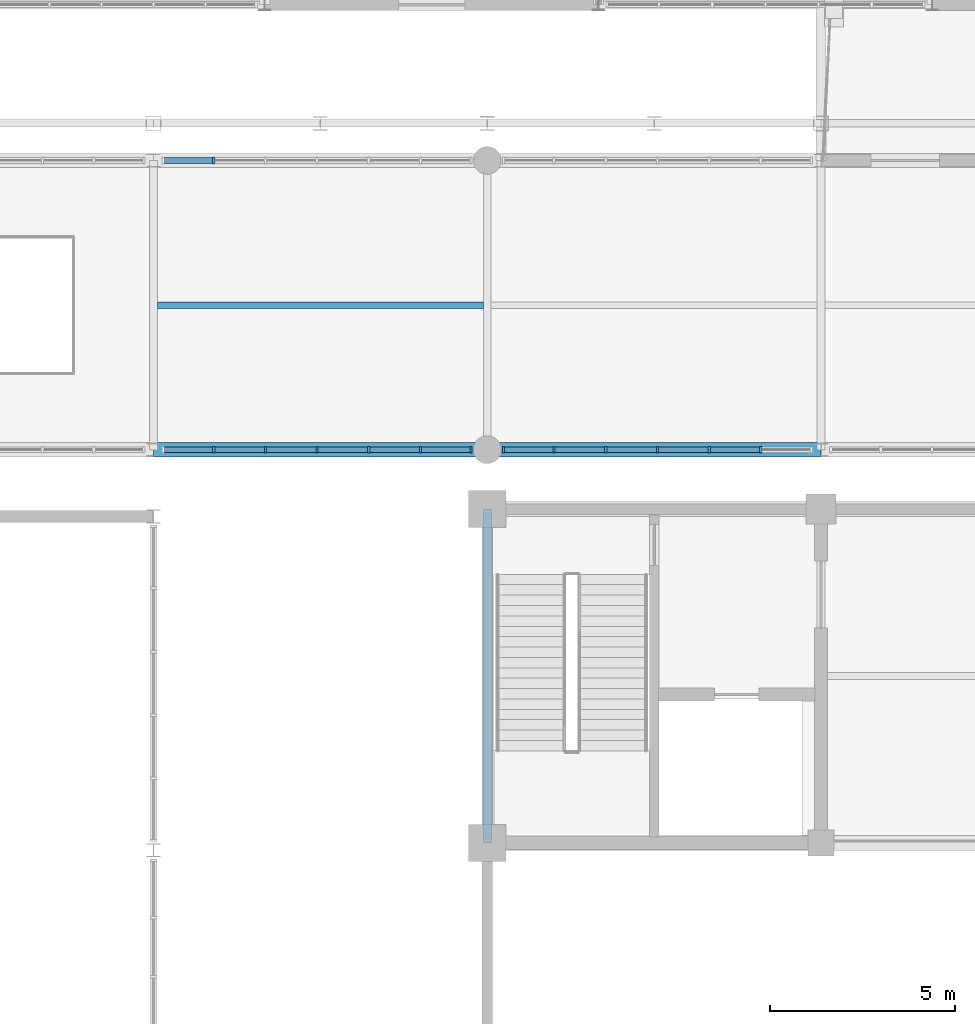
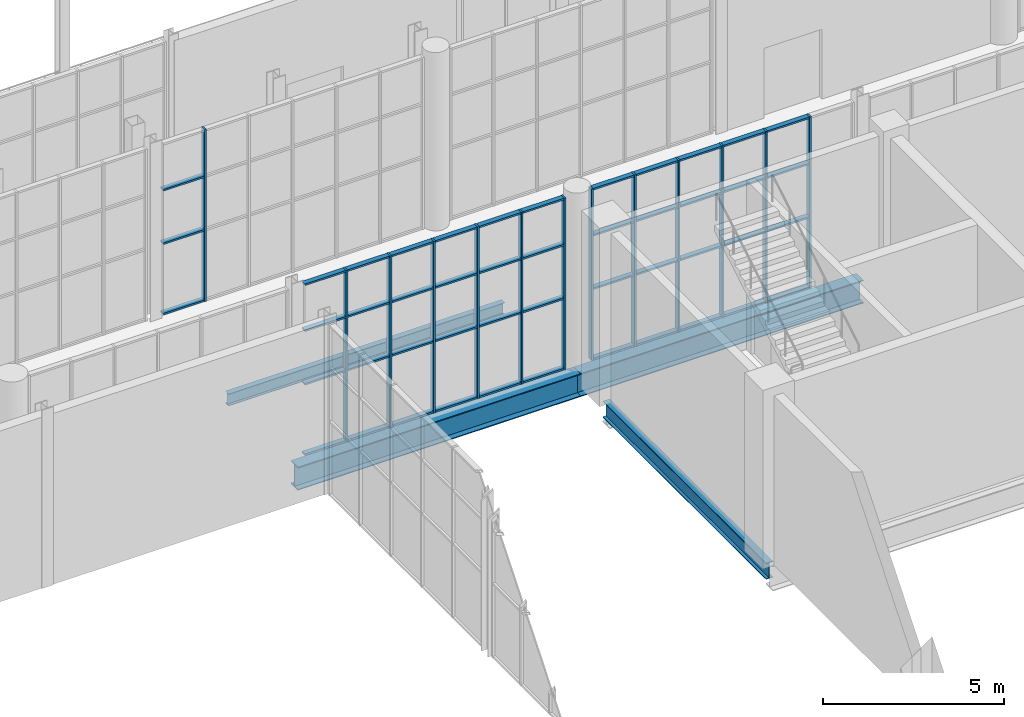
# One storey, part 38 of 159: 60 members, 4 beams, 3 elements without a shape of their own.
"""IFC4 building model written with IfcOpenShell, lengths in metres."""

import ifcopenshell
import ifcopenshell.guid

model = None  # the IFC model being written
_history = None  # IfcOwnerHistory: only IFC2X3 demands one
_inside = {}  # id of a spatial element -> (the spatial element, [elements in it])
_under = {}  # id of a project, library or spatial element -> (it, [spatial elements below it])
_declared = {}  # id of a project -> (the project, [libraries it declares])
_typed = {}  # id of a type object -> (the type object, [elements of that type])
_made_of = {}  # id of a material, layer set ... -> (it, [elements and type objects made of it])


def new_model(schema):
    """Start an empty IFC model of exactly this schema.

    Asked for "IFC4X3", IfcOpenShell would pick the latest addendum, in which some entities
    have other attributes; the version numbers below select the first issue.
    IFC2X3 requires an IfcOwnerHistory on every rooted entity: one is made here for all.
    """
    global model, _history
    if schema == "IFC4X3":
        model = ifcopenshell.file(schema_version=(4, 3, 0, 0))
    else:
        model = ifcopenshell.file(schema=schema)
    _inside.clear()
    _under.clear()
    _declared.clear()
    _typed.clear()
    _made_of.clear()
    _history = None
    if model.schema == "IFC2X3":
        org = make("IfcOrganization", Name="unknown")
        user = make(
            "IfcPersonAndOrganization",
            ThePerson=make("IfcPerson", FamilyName="unknown"),
            TheOrganization=org,
        )
        app = make(
            "IfcApplication",
            ApplicationDeveloper=org,
            Version="unknown",
            ApplicationFullName="unknown",
            ApplicationIdentifier="unknown",
        )
        _history = make(
            "IfcOwnerHistory",
            OwningUser=user,
            OwningApplication=app,
            ChangeAction="ADDED",
            CreationDate=0,
        )
    return model


def make(cls, **values):
    """One entity of the class cls with the attributes given. An attribute that is None is left unset."""
    return model.create_entity(
        cls, **{name: value for name, value in values.items() if value is not None}
    )


def rooted(cls, **values):
    """An entity with a GlobalId (a new one), such as an element, a storey or a relation."""
    return make(cls, GlobalId=ifcopenshell.guid.new(), OwnerHistory=_history, **values)


def si_unit(unit_type, name, prefix=None):
    """IfcSIUnit, for example si_unit("LENGTHUNIT", "METRE", prefix="MILLI")."""
    return make("IfcSIUnit", UnitType=unit_type, Prefix=prefix, Name=name)


def assignment(units):
    """IfcUnitAssignment: the units of a project."""
    return None if units is None else make("IfcUnitAssignment", Units=units)


def point(xyz):
    """IfcCartesianPoint."""
    return None if xyz is None else make("IfcCartesianPoint", Coordinates=xyz)


def direction(xyz):
    """IfcDirection."""
    return None if xyz is None else make("IfcDirection", DirectionRatios=xyz)


def frame(location, z_axis=None, x_axis=None):
    """IfcAxis2Placement3D, a coordinate frame: its origin and axes. An axis left out is left unset."""
    return make(
        "IfcAxis2Placement3D",
        Location=point(location),
        Axis=direction(z_axis),
        RefDirection=direction(x_axis),
    )


def frame_2d(location, x_axis=None):
    """IfcAxis2Placement2D, a coordinate frame in the plane: its origin and x axis."""
    return make(
        "IfcAxis2Placement2D", Location=point(location), RefDirection=direction(x_axis)
    )


def origin():
    """The frame at (0, 0, 0) with its axes left unset."""
    return frame((0.0, 0.0, 0.0))


def origin_2d():
    """The frame at (0, 0) in the plane with its x axis left unset."""
    return frame_2d((0.0, 0.0))


def place(relative_to, where):
    """IfcLocalPlacement: puts the frame where relative to a parent placement (None: the world)."""
    return make(
        "IfcLocalPlacement", PlacementRelTo=relative_to, RelativePlacement=where
    )


def context(
    kind, dimensions, precision=None, world=None, true_north=None, identifier=None
):
    """IfcGeometricRepresentationContext, for example the 3D "Model" context."""
    return make(
        "IfcGeometricRepresentationContext",
        ContextIdentifier=identifier,
        ContextType=kind,
        CoordinateSpaceDimension=dimensions,
        Precision=precision,
        WorldCoordinateSystem=world,
        TrueNorth=true_north,
    )


def subcontext(parent, identifier, kind, view, scale=None):
    """IfcGeometricRepresentationSubContext, for example "Body" below "Model"."""
    return make(
        "IfcGeometricRepresentationSubContext",
        ContextIdentifier=identifier,
        ContextType=kind,
        ParentContext=parent,
        TargetScale=scale,
        TargetView=view,
    )


def project(units=None, contexts=None):
    """IfcProject with its units and contexts."""
    return rooted(
        "IfcProject",
        Name="project",
        RepresentationContexts=contexts,
        UnitsInContext=assignment(units),
    )


def spatial(cls, under=None, at=None, **own):
    """A site, building, storey or space (cls), placed at a placement, below another one or the project."""
    s = rooted(cls, ObjectPlacement=at, **own)
    if under is not None:
        _under.setdefault(under.id(), (under, []))[1].append(s)
    return s


def profile(cls, at=None, kind="AREA", **sizes):
    """A parametric profile (cls). Its sizes go by their IFC names, for example OverallWidth=200.0."""
    return make(cls, ProfileType=kind, Position=at, **sizes)


def rectangle(**sizes):
    """IfcRectangleProfileDef."""
    return profile("IfcRectangleProfileDef", **sizes)


def i_section(**sizes):
    """IfcIShapeProfileDef."""
    return profile("IfcIShapeProfileDef", **sizes)


def extrude(swept, where, along, depth):
    """IfcExtrudedAreaSolid: the profile swept, set in the frame where, extruded along a direction by depth."""
    return make(
        "IfcExtrudedAreaSolid",
        SweptArea=swept,
        Position=where,
        ExtrudedDirection=direction(along),
        Depth=depth,
    )


def shape(context_of_items, identifier, shape_type, items):
    """IfcShapeRepresentation: the items that make up one representation, for example the "Body"."""
    return make(
        "IfcShapeRepresentation",
        ContextOfItems=context_of_items,
        RepresentationIdentifier=identifier,
        RepresentationType=shape_type,
        Items=items,
    )


def material(Name=None, Category=None):
    """IfcMaterial."""
    return make("IfcMaterial", Name=Name, Category=Category)


def layer(
    of_material, thickness, ventilated=None, Name=None, Category=None, Priority=None
):
    """IfcMaterialLayer: one layer of a wall or slab, of a material (None: an air gap)."""
    return make(
        "IfcMaterialLayer",
        Material=of_material,
        LayerThickness=thickness,
        IsVentilated=ventilated,
        Name=Name,
        Category=Category,
        Priority=Priority,
    )


def layer_set(layers, Name=None):
    """IfcMaterialLayerSet."""
    return make("IfcMaterialLayerSet", MaterialLayers=layers, LayerSetName=Name)


def material_profile(
    of_material, cross_section, Name=None, Category=None, Priority=None
):
    """IfcMaterialProfile: a cross section and its material."""
    return make(
        "IfcMaterialProfile",
        Name=Name,
        Material=of_material,
        Profile=cross_section,
        Priority=Priority,
        Category=Category,
    )


def profile_set(profiles, Name=None, composite=None):
    """IfcMaterialProfileSet."""
    return make(
        "IfcMaterialProfileSet",
        Name=Name,
        MaterialProfiles=profiles,
        CompositeProfile=composite,
    )


def made_of(thing, what):
    """Note that an element or type object is made of a material, layer set ...; save() writes the relation."""
    if what is not None:
        _made_of.setdefault(what.id(), (what, []))[1].append(thing)
    return thing


def type_object(cls, material=None, **own):
    """A type object (cls), such as IfcWallType, which elements share."""
    return made_of(rooted(cls, **own), material)


def element(
    cls,
    number,
    at=None,
    inside=None,
    cuts=None,
    type_object=None,
    material=None,
    context=None,
    identifier="Body",
    shape_type=None,
    held_by="IfcProductDefinitionShape",
    body=None,
    shapes=None,
    **own,
):
    """One element of the class cls, such as IfcWall. Its Tag is "e" and its number.

    at: its placement. inside: the storey or other place that contains it. cuts: it is an
    opening in that element (IfcRelVoidsElement). A single representation is given by context,
    identifier, shape_type and body (its items); several are given by shapes. held_by: the class
    of the entity that holds the representations. save() writes the other relations.
    """
    e = rooted(cls, Tag="e%d" % number, ObjectPlacement=at, **own)
    if body is not None:
        shapes = [shape(context, identifier, shape_type, body)]
    if shapes is not None:
        e.Representation = make(held_by, Representations=shapes)
    if inside is not None:
        _inside.setdefault(inside.id(), (inside, []))[1].append(e)
    if cuts is not None:
        rooted(
            "IfcRelVoidsElement", RelatingBuildingElement=cuts, RelatedOpeningElement=e
        )
    if type_object is not None:
        _typed.setdefault(type_object.id(), (type_object, []))[1].append(e)
    return made_of(e, material)


def aggregate(whole, parts):
    """IfcRelAggregates: a whole, such as a stair, and the parts it consists of."""
    return rooted("IfcRelAggregates", RelatingObject=whole, RelatedObjects=parts)


def save(model, path):
    """Write the relations noted so far, then the file.

    IfcRelAggregates (storeys below a building ...), IfcRelContainedInSpatialStructure (elements
    in a storey), IfcRelDefinesByType, IfcRelAssociatesMaterial and IfcRelDeclares: one each for
    every whole, place, type object, material and project.
    """
    for whole, parts in _under.values():
        aggregate(whole, parts)
    for where, things in _inside.values():
        rooted(
            "IfcRelContainedInSpatialStructure",
            RelatedElements=things,
            RelatingStructure=where,
        )
    for kind, things in _typed.values():
        rooted("IfcRelDefinesByType", RelatedObjects=things, RelatingType=kind)
    for what, things in _made_of.values():
        rooted("IfcRelAssociatesMaterial", RelatedObjects=things, RelatingMaterial=what)
    for by, libraries in _declared.values():
        rooted("IfcRelDeclares", RelatingContext=by, RelatedDefinitions=libraries)
    model.write(path)


model = new_model("IFC4")

# Units and contexts
model_context = context("Model", 3, precision=1e-05, world=origin(), true_north=direction((0.0, 1.0)))
body_context = subcontext(model_context, "Body", "Model", "MODEL_VIEW")
ifc_project = project(units=[si_unit("LENGTHUNIT", "METRE"), si_unit("AREAUNIT", "SQUARE_METRE"), si_unit("VOLUMEUNIT", "CUBIC_METRE"), si_unit("PLANEANGLEUNIT", "RADIAN"), si_unit("MASSUNIT", "GRAM", prefix="KILO")], contexts=[model_context])

# Site, building, storey
site_placement = place(None, origin())
site = spatial("IfcSite", under=ifc_project, at=site_placement, CompositionType="ELEMENT")
building_placement = place(site_placement, origin())
building = spatial("IfcBuilding", under=site, at=building_placement, Name="Cazmaro Siding Exhibition Halls", CompositionType="ELEMENT")
storey_placement = place(building_placement, frame((0.0, 0.0, 6.0)))
storey = spatial("IfcBuildingStorey", under=building, at=storey_placement, Name="L01", CompositionType="ELEMENT", Elevation=6.0)

# Beam
ifc_material_1 = material(Name="Steel ASTM A992 Grade 50", Category="steel")
ifc_material_profile_1 = material_profile(ifc_material_1, i_section(OverallWidth=0.214111328125, OverallDepth=0.549072265625, WebThickness=0.014892578125, FlangeThickness=0.02392578125, at=origin_2d()), Name="W21X93")
ifc_profile_set_1 = profile_set([ifc_material_profile_1], Name="Steel ASTM A992 Grade 50")
beam_type_1 = type_object("IfcBeamType", Name="B-01", PredefinedType="BEAM", material=ifc_profile_set_1)
beam_1_placement = place(storey_placement, frame((72.0, 44.60009765625, -0.52392578125), z_axis=(0.0, 1.0, 0.0), x_axis=(-1.0, 0.0, 0.0)))
element("IfcBeam", 1, at=beam_1_placement, inside=storey, type_object=beam_type_1, Name="Beam B-01 BM-1277", PredefinedType="BEAM", context=body_context, shape_type="SweptSolid", body=[
    extrude(i_section(OverallWidth=0.214111328125, OverallDepth=0.549072265625, WebThickness=0.014892578125, FlangeThickness=0.02392578125, at=origin_2d()), origin(), (0.0, 0.0, 1.0), 9.0),
])

# Curtain wall, members
ifc_material_2 = material(Name="Anodized Bronze Aluminum and Solar-Control Low-E Glazing", Category="aluminium")
ifc_layer = layer(ifc_material_2, 0.179931640625)
ifc_layer_set = layer_set([ifc_layer], Name="Anodized Bronze Aluminum and Solar-Control Low-E Glazing")
curtain_wall_type = type_object("IfcCurtainWallType", Name="CWS-01", PredefinedType="USERDEFINED", material=ifc_layer_set)
curtain_wall_1_placement = place(storey_placement, origin())
curtain_wall_1 = element("IfcCurtainWall", 2, at=curtain_wall_1_placement, inside=storey, type_object=curtain_wall_type, Name="Glazed Curtain Wall CWS-01 CW-157", ObjectType="GLAZED CURTAIN WALL", PredefinedType="USERDEFINED")
ifc_material_3 = material(Name="Anodized Bronze Extruded Aluminum", Category="aluminium")
ifc_material_profile_2 = material_profile(ifc_material_3, rectangle(XDim=0.179931640625, YDim=0.06005859375, at=origin_2d()), Name="CWM-01")
ifc_profile_set_2 = profile_set([ifc_material_profile_2], Name="Anodized Bronze Extruded Aluminum")
member_type_1 = type_object("IfcMemberType", Name="CWM-01", PredefinedType="MULLION", material=ifc_profile_set_2)
member_1_placement = place(storey_placement, frame((64.623779296875, 55.199951171875, 0.0), z_axis=(0.0, 0.0, 1.0), x_axis=(0.0, 1.0, 0.0)))
member_1 = element("IfcMember", 3, at=member_1_placement, type_object=member_type_1, Name="CWS-01 mullion 2", PredefinedType="MULLION", context=body_context, shape_type="SweptSolid", body=[
    extrude(rectangle(XDim=0.179931640625, YDim=0.06005859375, at=origin_2d()), origin(), (0.0, 0.0, 1.0), 5.780029296875),
])
member_2_placement = place(storey_placement, frame((66.017333984375, 55.199951171875, 0.0), z_axis=(0.0, 0.0, 1.0), x_axis=(0.0, 1.0, 0.0)))
member_2 = element("IfcMember", 4, at=member_2_placement, type_object=member_type_1, Name="CWS-01 mullion 3", PredefinedType="MULLION", context=body_context, shape_type="SweptSolid", body=[
    extrude(rectangle(XDim=0.179931640625, YDim=0.06005859375, at=origin_2d()), origin(), (0.0, 0.0, 1.0), 5.780029296875),
])
member_3_placement = place(storey_placement, frame((67.410888671875, 55.199951171875, 0.0), z_axis=(0.0, 0.0, 1.0), x_axis=(0.0, 1.0, 0.0)))
member_3 = element("IfcMember", 5, at=member_3_placement, type_object=member_type_1, Name="CWS-01 mullion 4", PredefinedType="MULLION", context=body_context, shape_type="SweptSolid", body=[
    extrude(rectangle(XDim=0.179931640625, YDim=0.06005859375, at=origin_2d()), origin(), (0.0, 0.0, 1.0), 5.780029296875),
])
member_4_placement = place(storey_placement, frame((68.8046875, 55.199951171875, 0.0), z_axis=(0.0, 0.0, 1.0), x_axis=(0.0, 1.0, 0.0)))
member_4 = element("IfcMember", 6, at=member_4_placement, type_object=member_type_1, Name="CWS-01 mullion 5", PredefinedType="MULLION", context=body_context, shape_type="SweptSolid", body=[
    extrude(rectangle(XDim=0.179931640625, YDim=0.06005859375, at=origin_2d()), origin(), (0.0, 0.0, 1.0), 5.780029296875),
])
member_5_placement = place(storey_placement, frame((70.1982421875, 55.199951171875, 0.0), z_axis=(0.0, 0.0, 1.0), x_axis=(0.0, 1.0, 0.0)))
member_5 = element("IfcMember", 7, at=member_5_placement, type_object=member_type_1, Name="CWS-01 mullion 6", PredefinedType="MULLION", context=body_context, shape_type="SweptSolid", body=[
    extrude(rectangle(XDim=0.179931640625, YDim=0.06005859375, at=origin_2d()), origin(), (0.0, 0.0, 1.0), 5.780029296875),
])
member_6_placement = place(storey_placement, frame((71.56201171875, 55.199951171875, 0.0), z_axis=(0.0, 0.0, 1.0), x_axis=(0.0, 1.0, 0.0)))
member_6 = element("IfcMember", 8, at=member_6_placement, type_object=member_type_1, Name="CWS-01 mullion 7", PredefinedType="MULLION", context=body_context, shape_type="SweptSolid", body=[
    extrude(rectangle(XDim=0.179931640625, YDim=0.06005859375, at=origin_2d()), origin(), (0.0, 0.0, 1.0), 5.780029296875),
])

# Curtain wall, member
curtain_wall_2_placement = place(storey_placement, origin())
curtain_wall_2 = element("IfcCurtainWall", 9, at=curtain_wall_2_placement, inside=storey, type_object=curtain_wall_type, Name="Glazed Curtain Wall CWS-01 CW-159", ObjectType="GLAZED CURTAIN WALL", PredefinedType="USERDEFINED")
member_7_placement = place(storey_placement, frame((64.623779296875, 63.0, 0.0), z_axis=(0.0, 0.0, 1.0), x_axis=(0.0, -1.0, 0.0)))
member_7 = element("IfcMember", 10, at=member_7_placement, type_object=member_type_1, Name="CWS-01 mullion 6", PredefinedType="MULLION", context=body_context, shape_type="SweptSolid", body=[
    extrude(rectangle(XDim=0.179931640625, YDim=0.06005859375, at=origin_2d()), origin(), (0.0, 0.0, 1.0), 5.780029296875),
])

# Curtain wall, members
curtain_wall_3_placement = place(storey_placement, origin())
curtain_wall_3 = element("IfcCurtainWall", 11, at=curtain_wall_3_placement, inside=storey, type_object=curtain_wall_type, Name="Glazed Curtain Wall CWS-01 CW-163", ObjectType="GLAZED CURTAIN WALL", PredefinedType="USERDEFINED")
member_8_placement = place(storey_placement, frame((72.43798828125, 55.199951171875, 0.0), z_axis=(0.0, 0.0, 1.0), x_axis=(0.0, 1.0, 0.0)))
member_8 = element("IfcMember", 12, at=member_8_placement, type_object=member_type_1, Name="CWS-01 mullion 1", PredefinedType="MULLION", context=body_context, shape_type="SweptSolid", body=[
    extrude(rectangle(XDim=0.179931640625, YDim=0.06005859375, at=origin_2d()), origin(), (0.0, 0.0, 1.0), 5.780029296875),
])
member_9_placement = place(storey_placement, frame((73.8017578125, 55.199951171875, 0.0), z_axis=(0.0, 0.0, 1.0), x_axis=(0.0, 1.0, 0.0)))
member_9 = element("IfcMember", 13, at=member_9_placement, type_object=member_type_1, Name="CWS-01 mullion 2", PredefinedType="MULLION", context=body_context, shape_type="SweptSolid", body=[
    extrude(rectangle(XDim=0.179931640625, YDim=0.06005859375, at=origin_2d()), origin(), (0.0, 0.0, 1.0), 5.780029296875),
])
member_10_placement = place(storey_placement, frame((75.1953125, 55.199951171875, 0.0), z_axis=(0.0, 0.0, 1.0), x_axis=(0.0, 1.0, 0.0)))
member_10 = element("IfcMember", 14, at=member_10_placement, type_object=member_type_1, Name="CWS-01 mullion 3", PredefinedType="MULLION", context=body_context, shape_type="SweptSolid", body=[
    extrude(rectangle(XDim=0.179931640625, YDim=0.06005859375, at=origin_2d()), origin(), (0.0, 0.0, 1.0), 5.780029296875),
])
member_11_placement = place(storey_placement, frame((76.589111328125, 55.199951171875, 0.0), z_axis=(0.0, 0.0, 1.0), x_axis=(0.0, 1.0, 0.0)))
member_11 = element("IfcMember", 15, at=member_11_placement, type_object=member_type_1, Name="CWS-01 mullion 4", PredefinedType="MULLION", context=body_context, shape_type="SweptSolid", body=[
    extrude(rectangle(XDim=0.179931640625, YDim=0.06005859375, at=origin_2d()), origin(), (0.0, 0.0, 1.0), 5.780029296875),
])
member_12_placement = place(storey_placement, frame((77.982666015625, 55.199951171875, 0.0), z_axis=(0.0, 0.0, 1.0), x_axis=(0.0, 1.0, 0.0)))
member_12 = element("IfcMember", 16, at=member_12_placement, type_object=member_type_1, Name="CWS-01 mullion 5", PredefinedType="MULLION", context=body_context, shape_type="SweptSolid", body=[
    extrude(rectangle(XDim=0.179931640625, YDim=0.06005859375, at=origin_2d()), origin(), (0.0, 0.0, 1.0), 5.780029296875),
])
member_13_placement = place(storey_placement, frame((79.376220703125, 55.199951171875, 0.0), z_axis=(0.0, 0.0, 1.0), x_axis=(0.0, 1.0, 0.0)))
member_13 = element("IfcMember", 17, at=member_13_placement, type_object=member_type_1, Name="CWS-01 mullion 6", PredefinedType="MULLION", context=body_context, shape_type="SweptSolid", body=[
    extrude(rectangle(XDim=0.179931640625, YDim=0.06005859375, at=origin_2d()), origin(), (0.0, 0.0, 1.0), 5.780029296875),
])

# Member
ifc_material_4 = material(Name="Anodized Bronze Extruded Aluminum", Category="aluminium")
ifc_material_profile_3 = material_profile(ifc_material_4, rectangle(XDim=0.159912109375, YDim=0.06005859375, at=origin_2d()), Name="CWT-01")
ifc_profile_set_3 = profile_set([ifc_material_profile_3], Name="Anodized Bronze Extruded Aluminum")
member_type_2 = type_object("IfcMemberType", Name="CWT-01", PredefinedType="MULLION", material=ifc_profile_set_3)
member_14_placement = place(storey_placement, frame((63.2900390625, 55.199951171875, 0.030029296875), z_axis=(1.0, 0.0, 0.0), x_axis=(0.0, 1.0, 0.0)))
member_14 = element("IfcMember", 18, at=member_14_placement, type_object=member_type_2, Name="CWS-01 transom 1.1", ObjectType="TRANSOM", PredefinedType="USERDEFINED", context=body_context, shape_type="SweptSolid", body=[
    extrude(rectangle(XDim=0.159912109375, YDim=0.06005859375, at=origin_2d()), origin(), (0.0, 0.0, 1.0), 1.3037109375),
])

member_15_placement = place(storey_placement, frame((63.2900390625, 55.199951171875, 2.39990234375), z_axis=(1.0, 0.0, 0.0), x_axis=(0.0, 1.0, 0.0)))
member_15 = element("IfcMember", 19, at=member_15_placement, type_object=member_type_2, Name="CWS-01 transom 1.2", ObjectType="TRANSOM", PredefinedType="USERDEFINED", context=body_context, shape_type="SweptSolid", body=[
    extrude(rectangle(XDim=0.159912109375, YDim=0.06005859375, at=origin_2d()), origin(), (0.0, 0.0, 1.0), 1.3037109375),
])

member_16_placement = place(storey_placement, frame((63.2900390625, 55.199951171875, 4.199951171875), z_axis=(1.0, 0.0, 0.0), x_axis=(0.0, 1.0, 0.0)))
member_16 = element("IfcMember", 20, at=member_16_placement, type_object=member_type_2, Name="CWS-01 transom 1.3", ObjectType="TRANSOM", PredefinedType="USERDEFINED", context=body_context, shape_type="SweptSolid", body=[
    extrude(rectangle(XDim=0.159912109375, YDim=0.06005859375, at=origin_2d()), origin(), (0.0, 0.0, 1.0), 1.3037109375),
])

member_17_placement = place(storey_placement, frame((63.2900390625, 55.199951171875, 5.75), z_axis=(1.0, 0.0, 0.0), x_axis=(0.0, 1.0, 0.0)))
member_17 = element("IfcMember", 21, at=member_17_placement, type_object=member_type_2, Name="CWS-01 transom 1.4", ObjectType="TRANSOM", PredefinedType="USERDEFINED", context=body_context, shape_type="SweptSolid", body=[
    extrude(rectangle(XDim=0.159912109375, YDim=0.06005859375, at=origin_2d()), origin(), (0.0, 0.0, 1.0), 1.3037109375),
])

member_18_placement = place(storey_placement, frame((64.653564453125, 55.199951171875, 0.030029296875), z_axis=(1.0, 0.0, 0.0), x_axis=(0.0, 1.0, 0.0)))
member_18 = element("IfcMember", 22, at=member_18_placement, type_object=member_type_2, Name="CWS-01 transom 2.1", ObjectType="TRANSOM", PredefinedType="USERDEFINED", context=body_context, shape_type="SweptSolid", body=[
    extrude(rectangle(XDim=0.159912109375, YDim=0.06005859375, at=origin_2d()), origin(), (0.0, 0.0, 1.0), 1.333740234375),
])

member_19_placement = place(storey_placement, frame((64.653564453125, 55.199951171875, 2.39990234375), z_axis=(1.0, 0.0, 0.0), x_axis=(0.0, 1.0, 0.0)))
member_19 = element("IfcMember", 23, at=member_19_placement, type_object=member_type_2, Name="CWS-01 transom 2.2", ObjectType="TRANSOM", PredefinedType="USERDEFINED", context=body_context, shape_type="SweptSolid", body=[
    extrude(rectangle(XDim=0.159912109375, YDim=0.06005859375, at=origin_2d()), origin(), (0.0, 0.0, 1.0), 1.333740234375),
])

member_20_placement = place(storey_placement, frame((64.653564453125, 55.199951171875, 4.199951171875), z_axis=(1.0, 0.0, 0.0), x_axis=(0.0, 1.0, 0.0)))
member_20 = element("IfcMember", 24, at=member_20_placement, type_object=member_type_2, Name="CWS-01 transom 2.3", ObjectType="TRANSOM", PredefinedType="USERDEFINED", context=body_context, shape_type="SweptSolid", body=[
    extrude(rectangle(XDim=0.159912109375, YDim=0.06005859375, at=origin_2d()), origin(), (0.0, 0.0, 1.0), 1.333740234375),
])

member_21_placement = place(storey_placement, frame((64.653564453125, 55.199951171875, 5.75), z_axis=(1.0, 0.0, 0.0), x_axis=(0.0, 1.0, 0.0)))
member_21 = element("IfcMember", 25, at=member_21_placement, type_object=member_type_2, Name="CWS-01 transom 2.4", ObjectType="TRANSOM", PredefinedType="USERDEFINED", context=body_context, shape_type="SweptSolid", body=[
    extrude(rectangle(XDim=0.159912109375, YDim=0.06005859375, at=origin_2d()), origin(), (0.0, 0.0, 1.0), 1.333740234375),
])

member_22_placement = place(storey_placement, frame((66.04736328125, 55.199951171875, 0.030029296875), z_axis=(1.0, 0.0, 0.0), x_axis=(0.0, 1.0, 0.0)))
member_22 = element("IfcMember", 26, at=member_22_placement, type_object=member_type_2, Name="CWS-01 transom 3.1", ObjectType="TRANSOM", PredefinedType="USERDEFINED", context=body_context, shape_type="SweptSolid", body=[
    extrude(rectangle(XDim=0.159912109375, YDim=0.06005859375, at=origin_2d()), origin(), (0.0, 0.0, 1.0), 1.333740234375),
])

member_23_placement = place(storey_placement, frame((66.04736328125, 55.199951171875, 2.39990234375), z_axis=(1.0, 0.0, 0.0), x_axis=(0.0, 1.0, 0.0)))
member_23 = element("IfcMember", 27, at=member_23_placement, type_object=member_type_2, Name="CWS-01 transom 3.2", ObjectType="TRANSOM", PredefinedType="USERDEFINED", context=body_context, shape_type="SweptSolid", body=[
    extrude(rectangle(XDim=0.159912109375, YDim=0.06005859375, at=origin_2d()), origin(), (0.0, 0.0, 1.0), 1.333740234375),
])

member_24_placement = place(storey_placement, frame((66.04736328125, 55.199951171875, 4.199951171875), z_axis=(1.0, 0.0, 0.0), x_axis=(0.0, 1.0, 0.0)))
member_24 = element("IfcMember", 28, at=member_24_placement, type_object=member_type_2, Name="CWS-01 transom 3.3", ObjectType="TRANSOM", PredefinedType="USERDEFINED", context=body_context, shape_type="SweptSolid", body=[
    extrude(rectangle(XDim=0.159912109375, YDim=0.06005859375, at=origin_2d()), origin(), (0.0, 0.0, 1.0), 1.333740234375),
])

member_25_placement = place(storey_placement, frame((66.04736328125, 55.199951171875, 5.75), z_axis=(1.0, 0.0, 0.0), x_axis=(0.0, 1.0, 0.0)))
member_25 = element("IfcMember", 29, at=member_25_placement, type_object=member_type_2, Name="CWS-01 transom 3.4", ObjectType="TRANSOM", PredefinedType="USERDEFINED", context=body_context, shape_type="SweptSolid", body=[
    extrude(rectangle(XDim=0.159912109375, YDim=0.06005859375, at=origin_2d()), origin(), (0.0, 0.0, 1.0), 1.333740234375),
])

member_26_placement = place(storey_placement, frame((67.44091796875, 55.199951171875, 0.030029296875), z_axis=(1.0, 0.0, 0.0), x_axis=(0.0, 1.0, 0.0)))
member_26 = element("IfcMember", 30, at=member_26_placement, type_object=member_type_2, Name="CWS-01 transom 4.1", ObjectType="TRANSOM", PredefinedType="USERDEFINED", context=body_context, shape_type="SweptSolid", body=[
    extrude(rectangle(XDim=0.159912109375, YDim=0.06005859375, at=origin_2d()), origin(), (0.0, 0.0, 1.0), 1.333740234375),
])

member_27_placement = place(storey_placement, frame((67.44091796875, 55.199951171875, 2.39990234375), z_axis=(1.0, 0.0, 0.0), x_axis=(0.0, 1.0, 0.0)))
member_27 = element("IfcMember", 31, at=member_27_placement, type_object=member_type_2, Name="CWS-01 transom 4.2", ObjectType="TRANSOM", PredefinedType="USERDEFINED", context=body_context, shape_type="SweptSolid", body=[
    extrude(rectangle(XDim=0.159912109375, YDim=0.06005859375, at=origin_2d()), origin(), (0.0, 0.0, 1.0), 1.333740234375),
])

member_28_placement = place(storey_placement, frame((67.44091796875, 55.199951171875, 4.199951171875), z_axis=(1.0, 0.0, 0.0), x_axis=(0.0, 1.0, 0.0)))
member_28 = element("IfcMember", 32, at=member_28_placement, type_object=member_type_2, Name="CWS-01 transom 4.3", ObjectType="TRANSOM", PredefinedType="USERDEFINED", context=body_context, shape_type="SweptSolid", body=[
    extrude(rectangle(XDim=0.159912109375, YDim=0.06005859375, at=origin_2d()), origin(), (0.0, 0.0, 1.0), 1.333740234375),
])

member_29_placement = place(storey_placement, frame((67.44091796875, 55.199951171875, 5.75), z_axis=(1.0, 0.0, 0.0), x_axis=(0.0, 1.0, 0.0)))
member_29 = element("IfcMember", 33, at=member_29_placement, type_object=member_type_2, Name="CWS-01 transom 4.4", ObjectType="TRANSOM", PredefinedType="USERDEFINED", context=body_context, shape_type="SweptSolid", body=[
    extrude(rectangle(XDim=0.159912109375, YDim=0.06005859375, at=origin_2d()), origin(), (0.0, 0.0, 1.0), 1.333740234375),
])

member_30_placement = place(storey_placement, frame((68.834716796875, 55.199951171875, 0.030029296875), z_axis=(1.0, 0.0, 0.0), x_axis=(0.0, 1.0, 0.0)))
member_30 = element("IfcMember", 34, at=member_30_placement, type_object=member_type_2, Name="CWS-01 transom 5.1", ObjectType="TRANSOM", PredefinedType="USERDEFINED", context=body_context, shape_type="SweptSolid", body=[
    extrude(rectangle(XDim=0.159912109375, YDim=0.06005859375, at=origin_2d()), origin(), (0.0, 0.0, 1.0), 1.33349609375),
])

member_31_placement = place(storey_placement, frame((68.834716796875, 55.199951171875, 2.39990234375), z_axis=(1.0, 0.0, 0.0), x_axis=(0.0, 1.0, 0.0)))
member_31 = element("IfcMember", 35, at=member_31_placement, type_object=member_type_2, Name="CWS-01 transom 5.2", ObjectType="TRANSOM", PredefinedType="USERDEFINED", context=body_context, shape_type="SweptSolid", body=[
    extrude(rectangle(XDim=0.159912109375, YDim=0.06005859375, at=origin_2d()), origin(), (0.0, 0.0, 1.0), 1.33349609375),
])

member_32_placement = place(storey_placement, frame((68.834716796875, 55.199951171875, 4.199951171875), z_axis=(1.0, 0.0, 0.0), x_axis=(0.0, 1.0, 0.0)))
member_32 = element("IfcMember", 36, at=member_32_placement, type_object=member_type_2, Name="CWS-01 transom 5.3", ObjectType="TRANSOM", PredefinedType="USERDEFINED", context=body_context, shape_type="SweptSolid", body=[
    extrude(rectangle(XDim=0.159912109375, YDim=0.06005859375, at=origin_2d()), origin(), (0.0, 0.0, 1.0), 1.33349609375),
])

member_33_placement = place(storey_placement, frame((68.834716796875, 55.199951171875, 5.75), z_axis=(1.0, 0.0, 0.0), x_axis=(0.0, 1.0, 0.0)))
member_33 = element("IfcMember", 37, at=member_33_placement, type_object=member_type_2, Name="CWS-01 transom 5.4", ObjectType="TRANSOM", PredefinedType="USERDEFINED", context=body_context, shape_type="SweptSolid", body=[
    extrude(rectangle(XDim=0.159912109375, YDim=0.06005859375, at=origin_2d()), origin(), (0.0, 0.0, 1.0), 1.33349609375),
])

member_34_placement = place(storey_placement, frame((70.228271484375, 55.199951171875, 0.030029296875), z_axis=(1.0, 0.0, 0.0), x_axis=(0.0, 1.0, 0.0)))
member_34 = element("IfcMember", 38, at=member_34_placement, type_object=member_type_2, Name="CWS-01 transom 6.1", ObjectType="TRANSOM", PredefinedType="USERDEFINED", context=body_context, shape_type="SweptSolid", body=[
    extrude(rectangle(XDim=0.159912109375, YDim=0.06005859375, at=origin_2d()), origin(), (0.0, 0.0, 1.0), 1.3037109375),
])

member_35_placement = place(storey_placement, frame((70.228271484375, 55.199951171875, 2.39990234375), z_axis=(1.0, 0.0, 0.0), x_axis=(0.0, 1.0, 0.0)))
member_35 = element("IfcMember", 39, at=member_35_placement, type_object=member_type_2, Name="CWS-01 transom 6.2", ObjectType="TRANSOM", PredefinedType="USERDEFINED", context=body_context, shape_type="SweptSolid", body=[
    extrude(rectangle(XDim=0.159912109375, YDim=0.06005859375, at=origin_2d()), origin(), (0.0, 0.0, 1.0), 1.3037109375),
])

member_36_placement = place(storey_placement, frame((70.228271484375, 55.199951171875, 4.199951171875), z_axis=(1.0, 0.0, 0.0), x_axis=(0.0, 1.0, 0.0)))
member_36 = element("IfcMember", 40, at=member_36_placement, type_object=member_type_2, Name="CWS-01 transom 6.3", ObjectType="TRANSOM", PredefinedType="USERDEFINED", context=body_context, shape_type="SweptSolid", body=[
    extrude(rectangle(XDim=0.159912109375, YDim=0.06005859375, at=origin_2d()), origin(), (0.0, 0.0, 1.0), 1.3037109375),
])

member_37_placement = place(storey_placement, frame((70.228271484375, 55.199951171875, 5.75), z_axis=(1.0, 0.0, 0.0), x_axis=(0.0, 1.0, 0.0)))
member_37 = element("IfcMember", 41, at=member_37_placement, type_object=member_type_2, Name="CWS-01 transom 6.4", ObjectType="TRANSOM", PredefinedType="USERDEFINED", context=body_context, shape_type="SweptSolid", body=[
    extrude(rectangle(XDim=0.159912109375, YDim=0.06005859375, at=origin_2d()), origin(), (0.0, 0.0, 1.0), 1.3037109375),
])

aggregate(curtain_wall_1, [member_1, member_2, member_3, member_4, member_5, member_6, member_14, member_15, member_16, member_17, member_18, member_19, member_20, member_21, member_22, member_23, member_24, member_25, member_26, member_27, member_28, member_29, member_30, member_31, member_32, member_33, member_34, member_35, member_36, member_37])

member_38_placement = place(storey_placement, frame((64.59375, 63.0, 0.030029296875), z_axis=(-1.0, 0.0, 0.0), x_axis=(0.0, -1.0, 0.0)))
member_38 = element("IfcMember", 42, at=member_38_placement, type_object=member_type_2, Name="CWS-01 transom 6.1", ObjectType="TRANSOM", PredefinedType="USERDEFINED", context=body_context, shape_type="SweptSolid", body=[
    extrude(rectangle(XDim=0.159912109375, YDim=0.06005859375, at=origin_2d()), origin(), (0.0, 0.0, 1.0), 1.3037109375),
])

member_39_placement = place(storey_placement, frame((64.59375, 63.0, 2.39990234375), z_axis=(-1.0, 0.0, 0.0), x_axis=(0.0, -1.0, 0.0)))
member_39 = element("IfcMember", 43, at=member_39_placement, type_object=member_type_2, Name="CWS-01 transom 6.2", ObjectType="TRANSOM", PredefinedType="USERDEFINED", context=body_context, shape_type="SweptSolid", body=[
    extrude(rectangle(XDim=0.159912109375, YDim=0.06005859375, at=origin_2d()), origin(), (0.0, 0.0, 1.0), 1.3037109375),
])

member_40_placement = place(storey_placement, frame((64.59375, 63.0, 4.199951171875), z_axis=(-1.0, 0.0, 0.0), x_axis=(0.0, -1.0, 0.0)))
member_40 = element("IfcMember", 44, at=member_40_placement, type_object=member_type_2, Name="CWS-01 transom 6.3", ObjectType="TRANSOM", PredefinedType="USERDEFINED", context=body_context, shape_type="SweptSolid", body=[
    extrude(rectangle(XDim=0.159912109375, YDim=0.06005859375, at=origin_2d()), origin(), (0.0, 0.0, 1.0), 1.3037109375),
])

aggregate(curtain_wall_2, [member_7, member_38, member_39, member_40])

member_41_placement = place(storey_placement, frame((72.468017578125, 55.199951171875, 0.030029296875), z_axis=(1.0, 0.0, 0.0), x_axis=(0.0, 1.0, 0.0)))
member_41 = element("IfcMember", 45, at=member_41_placement, type_object=member_type_2, Name="CWS-01 transom 1.1", ObjectType="TRANSOM", PredefinedType="USERDEFINED", context=body_context, shape_type="SweptSolid", body=[
    extrude(rectangle(XDim=0.159912109375, YDim=0.06005859375, at=origin_2d()), origin(), (0.0, 0.0, 1.0), 1.3037109375),
])

member_42_placement = place(storey_placement, frame((72.468017578125, 55.199951171875, 2.39990234375), z_axis=(1.0, 0.0, 0.0), x_axis=(0.0, 1.0, 0.0)))
member_42 = element("IfcMember", 46, at=member_42_placement, type_object=member_type_2, Name="CWS-01 transom 1.2", ObjectType="TRANSOM", PredefinedType="USERDEFINED", context=body_context, shape_type="SweptSolid", body=[
    extrude(rectangle(XDim=0.159912109375, YDim=0.06005859375, at=origin_2d()), origin(), (0.0, 0.0, 1.0), 1.3037109375),
])

member_43_placement = place(storey_placement, frame((72.468017578125, 55.199951171875, 4.199951171875), z_axis=(1.0, 0.0, 0.0), x_axis=(0.0, 1.0, 0.0)))
member_43 = element("IfcMember", 47, at=member_43_placement, type_object=member_type_2, Name="CWS-01 transom 1.3", ObjectType="TRANSOM", PredefinedType="USERDEFINED", context=body_context, shape_type="SweptSolid", body=[
    extrude(rectangle(XDim=0.159912109375, YDim=0.06005859375, at=origin_2d()), origin(), (0.0, 0.0, 1.0), 1.3037109375),
])

member_44_placement = place(storey_placement, frame((72.468017578125, 55.199951171875, 5.75), z_axis=(1.0, 0.0, 0.0), x_axis=(0.0, 1.0, 0.0)))
member_44 = element("IfcMember", 48, at=member_44_placement, type_object=member_type_2, Name="CWS-01 transom 1.4", ObjectType="TRANSOM", PredefinedType="USERDEFINED", context=body_context, shape_type="SweptSolid", body=[
    extrude(rectangle(XDim=0.159912109375, YDim=0.06005859375, at=origin_2d()), origin(), (0.0, 0.0, 1.0), 1.3037109375),
])

member_45_placement = place(storey_placement, frame((73.831787109375, 55.199951171875, 0.030029296875), z_axis=(1.0, 0.0, 0.0), x_axis=(0.0, 1.0, 0.0)))
member_45 = element("IfcMember", 49, at=member_45_placement, type_object=member_type_2, Name="CWS-01 transom 2.1", ObjectType="TRANSOM", PredefinedType="USERDEFINED", context=body_context, shape_type="SweptSolid", body=[
    extrude(rectangle(XDim=0.159912109375, YDim=0.06005859375, at=origin_2d()), origin(), (0.0, 0.0, 1.0), 1.33349609375),
])

member_46_placement = place(storey_placement, frame((73.831787109375, 55.199951171875, 2.39990234375), z_axis=(1.0, 0.0, 0.0), x_axis=(0.0, 1.0, 0.0)))
member_46 = element("IfcMember", 50, at=member_46_placement, type_object=member_type_2, Name="CWS-01 transom 2.2", ObjectType="TRANSOM", PredefinedType="USERDEFINED", context=body_context, shape_type="SweptSolid", body=[
    extrude(rectangle(XDim=0.159912109375, YDim=0.06005859375, at=origin_2d()), origin(), (0.0, 0.0, 1.0), 1.33349609375),
])

member_47_placement = place(storey_placement, frame((73.831787109375, 55.199951171875, 4.199951171875), z_axis=(1.0, 0.0, 0.0), x_axis=(0.0, 1.0, 0.0)))
member_47 = element("IfcMember", 51, at=member_47_placement, type_object=member_type_2, Name="CWS-01 transom 2.3", ObjectType="TRANSOM", PredefinedType="USERDEFINED", context=body_context, shape_type="SweptSolid", body=[
    extrude(rectangle(XDim=0.159912109375, YDim=0.06005859375, at=origin_2d()), origin(), (0.0, 0.0, 1.0), 1.33349609375),
])

member_48_placement = place(storey_placement, frame((73.831787109375, 55.199951171875, 5.75), z_axis=(1.0, 0.0, 0.0), x_axis=(0.0, 1.0, 0.0)))
member_48 = element("IfcMember", 52, at=member_48_placement, type_object=member_type_2, Name="CWS-01 transom 2.4", ObjectType="TRANSOM", PredefinedType="USERDEFINED", context=body_context, shape_type="SweptSolid", body=[
    extrude(rectangle(XDim=0.159912109375, YDim=0.06005859375, at=origin_2d()), origin(), (0.0, 0.0, 1.0), 1.33349609375),
])

member_49_placement = place(storey_placement, frame((75.225341796875, 55.199951171875, 0.030029296875), z_axis=(1.0, 0.0, 0.0), x_axis=(0.0, 1.0, 0.0)))
member_49 = element("IfcMember", 53, at=member_49_placement, type_object=member_type_2, Name="CWS-01 transom 3.1", ObjectType="TRANSOM", PredefinedType="USERDEFINED", context=body_context, shape_type="SweptSolid", body=[
    extrude(rectangle(XDim=0.159912109375, YDim=0.06005859375, at=origin_2d()), origin(), (0.0, 0.0, 1.0), 1.333740234375),
])

member_50_placement = place(storey_placement, frame((75.225341796875, 55.199951171875, 2.39990234375), z_axis=(1.0, 0.0, 0.0), x_axis=(0.0, 1.0, 0.0)))
member_50 = element("IfcMember", 54, at=member_50_placement, type_object=member_type_2, Name="CWS-01 transom 3.2", ObjectType="TRANSOM", PredefinedType="USERDEFINED", context=body_context, shape_type="SweptSolid", body=[
    extrude(rectangle(XDim=0.159912109375, YDim=0.06005859375, at=origin_2d()), origin(), (0.0, 0.0, 1.0), 1.333740234375),
])

member_51_placement = place(storey_placement, frame((75.225341796875, 55.199951171875, 4.199951171875), z_axis=(1.0, 0.0, 0.0), x_axis=(0.0, 1.0, 0.0)))
member_51 = element("IfcMember", 55, at=member_51_placement, type_object=member_type_2, Name="CWS-01 transom 3.3", ObjectType="TRANSOM", PredefinedType="USERDEFINED", context=body_context, shape_type="SweptSolid", body=[
    extrude(rectangle(XDim=0.159912109375, YDim=0.06005859375, at=origin_2d()), origin(), (0.0, 0.0, 1.0), 1.333740234375),
])

member_52_placement = place(storey_placement, frame((75.225341796875, 55.199951171875, 5.75), z_axis=(1.0, 0.0, 0.0), x_axis=(0.0, 1.0, 0.0)))
member_52 = element("IfcMember", 56, at=member_52_placement, type_object=member_type_2, Name="CWS-01 transom 3.4", ObjectType="TRANSOM", PredefinedType="USERDEFINED", context=body_context, shape_type="SweptSolid", body=[
    extrude(rectangle(XDim=0.159912109375, YDim=0.06005859375, at=origin_2d()), origin(), (0.0, 0.0, 1.0), 1.333740234375),
])

member_53_placement = place(storey_placement, frame((76.618896484375, 55.199951171875, 0.030029296875), z_axis=(1.0, 0.0, 0.0), x_axis=(0.0, 1.0, 0.0)))
member_53 = element("IfcMember", 57, at=member_53_placement, type_object=member_type_2, Name="CWS-01 transom 4.1", ObjectType="TRANSOM", PredefinedType="USERDEFINED", context=body_context, shape_type="SweptSolid", body=[
    extrude(rectangle(XDim=0.159912109375, YDim=0.06005859375, at=origin_2d()), origin(), (0.0, 0.0, 1.0), 1.333740234375),
])

member_54_placement = place(storey_placement, frame((76.618896484375, 55.199951171875, 2.39990234375), z_axis=(1.0, 0.0, 0.0), x_axis=(0.0, 1.0, 0.0)))
member_54 = element("IfcMember", 58, at=member_54_placement, type_object=member_type_2, Name="CWS-01 transom 4.2", ObjectType="TRANSOM", PredefinedType="USERDEFINED", context=body_context, shape_type="SweptSolid", body=[
    extrude(rectangle(XDim=0.159912109375, YDim=0.06005859375, at=origin_2d()), origin(), (0.0, 0.0, 1.0), 1.333740234375),
])

member_55_placement = place(storey_placement, frame((76.618896484375, 55.199951171875, 4.199951171875), z_axis=(1.0, 0.0, 0.0), x_axis=(0.0, 1.0, 0.0)))
member_55 = element("IfcMember", 59, at=member_55_placement, type_object=member_type_2, Name="CWS-01 transom 4.3", ObjectType="TRANSOM", PredefinedType="USERDEFINED", context=body_context, shape_type="SweptSolid", body=[
    extrude(rectangle(XDim=0.159912109375, YDim=0.06005859375, at=origin_2d()), origin(), (0.0, 0.0, 1.0), 1.333740234375),
])

member_56_placement = place(storey_placement, frame((76.618896484375, 55.199951171875, 5.75), z_axis=(1.0, 0.0, 0.0), x_axis=(0.0, 1.0, 0.0)))
member_56 = element("IfcMember", 60, at=member_56_placement, type_object=member_type_2, Name="CWS-01 transom 4.4", ObjectType="TRANSOM", PredefinedType="USERDEFINED", context=body_context, shape_type="SweptSolid", body=[
    extrude(rectangle(XDim=0.159912109375, YDim=0.06005859375, at=origin_2d()), origin(), (0.0, 0.0, 1.0), 1.333740234375),
])

member_57_placement = place(storey_placement, frame((78.0126953125, 55.199951171875, 0.030029296875), z_axis=(1.0, 0.0, 0.0), x_axis=(0.0, 1.0, 0.0)))
member_57 = element("IfcMember", 61, at=member_57_placement, type_object=member_type_2, Name="CWS-01 transom 5.1", ObjectType="TRANSOM", PredefinedType="USERDEFINED", context=body_context, shape_type="SweptSolid", body=[
    extrude(rectangle(XDim=0.159912109375, YDim=0.06005859375, at=origin_2d()), origin(), (0.0, 0.0, 1.0), 1.333740234375),
])

member_58_placement = place(storey_placement, frame((78.0126953125, 55.199951171875, 2.39990234375), z_axis=(1.0, 0.0, 0.0), x_axis=(0.0, 1.0, 0.0)))
member_58 = element("IfcMember", 62, at=member_58_placement, type_object=member_type_2, Name="CWS-01 transom 5.2", ObjectType="TRANSOM", PredefinedType="USERDEFINED", context=body_context, shape_type="SweptSolid", body=[
    extrude(rectangle(XDim=0.159912109375, YDim=0.06005859375, at=origin_2d()), origin(), (0.0, 0.0, 1.0), 1.333740234375),
])

member_59_placement = place(storey_placement, frame((78.0126953125, 55.199951171875, 4.199951171875), z_axis=(1.0, 0.0, 0.0), x_axis=(0.0, 1.0, 0.0)))
member_59 = element("IfcMember", 63, at=member_59_placement, type_object=member_type_2, Name="CWS-01 transom 5.3", ObjectType="TRANSOM", PredefinedType="USERDEFINED", context=body_context, shape_type="SweptSolid", body=[
    extrude(rectangle(XDim=0.159912109375, YDim=0.06005859375, at=origin_2d()), origin(), (0.0, 0.0, 1.0), 1.333740234375),
])

member_60_placement = place(storey_placement, frame((78.0126953125, 55.199951171875, 5.75), z_axis=(1.0, 0.0, 0.0), x_axis=(0.0, 1.0, 0.0)))
member_60 = element("IfcMember", 64, at=member_60_placement, type_object=member_type_2, Name="CWS-01 transom 5.4", ObjectType="TRANSOM", PredefinedType="USERDEFINED", context=body_context, shape_type="SweptSolid", body=[
    extrude(rectangle(XDim=0.159912109375, YDim=0.06005859375, at=origin_2d()), origin(), (0.0, 0.0, 1.0), 1.333740234375),
])

aggregate(curtain_wall_3, [member_8, member_9, member_10, member_11, member_12, member_13, member_41, member_42, member_43, member_44, member_45, member_46, member_47, member_48, member_49, member_50, member_51, member_52, member_53, member_54, member_55, member_56, member_57, member_58, member_59, member_60])

# Beams
ifc_material_5 = material(Name="Steel ASTM A992 Grade 50", Category="steel")
ifc_material_profile_4 = material_profile(ifc_material_5, i_section(OverallWidth=0.381103515625, OverallDepth=0.779052734375, WebThickness=0.01806640625, FlangeThickness=0.030029296875, at=origin_2d()), Name="W30X191")
ifc_profile_set_4 = profile_set([ifc_material_profile_4], Name="Steel ASTM A992 Grade 50")
beam_type_2 = type_object("IfcBeamType", Name="G-04", PredefinedType="USERDEFINED", material=ifc_profile_set_4)
for number, where, z_axis, x_axis, name in (
    (65, (63.0, 55.199951171875, -0.60888671875), (1.0, 0.0, 0.0), (0.0, 1.0, 0.0), "Beam G-04 BM-1592"),
    (66, (72.0, 55.199951171875, -0.60888671875), (1.0, 0.0, 0.0), (0.0, 1.0, 0.0), "Beam G-04 BM-1601"),
):
    element("IfcBeam", number, at=place(storey_placement, frame(where, z_axis=z_axis, x_axis=x_axis)), inside=storey, type_object=beam_type_2, Name=name, ObjectType="GIRDER", PredefinedType="USERDEFINED", context=body_context, shape_type="SweptSolid", body=[
        extrude(i_section(OverallWidth=0.381103515625, OverallDepth=0.779052734375, WebThickness=0.01806640625, FlangeThickness=0.030029296875, at=origin_2d()), origin(), (0.0, 0.0, 1.0), 9.0),
    ])
ifc_material_6 = material(Name="Steel ASTM A992 Grade 50", Category="steel")
ifc_material_profile_5 = material_profile(ifc_material_6, i_section(OverallWidth=0.177978515625, OverallDepth=0.406005859375, WebThickness=0.008056640625, FlangeThickness=0.012939453125, at=origin_2d()), Name="W16X40")
ifc_profile_set_5 = profile_set([ifc_material_profile_5], Name="Steel ASTM A992 Grade 50")
beam_type_3 = type_object("IfcBeamType", Name="J-02", PredefinedType="JOIST", material=ifc_profile_set_5)
beam_2_placement = place(storey_placement, frame((63.10498046875, 59.10009765625, -0.423095703125), z_axis=(1.0, 0.0, 0.0), x_axis=(0.0, 1.0, 0.0)))
element("IfcBeam", 67, at=beam_2_placement, inside=storey, type_object=beam_type_3, Name="Beam J-02 BM-1594", PredefinedType="JOIST", context=body_context, shape_type="SweptSolid", body=[
    extrude(i_section(OverallWidth=0.177978515625, OverallDepth=0.406005859375, WebThickness=0.008056640625, FlangeThickness=0.012939453125, at=origin_2d()), origin(), (0.0, 0.0, 1.0), 8.7900390625),
])

save(model, "model.ifc")
